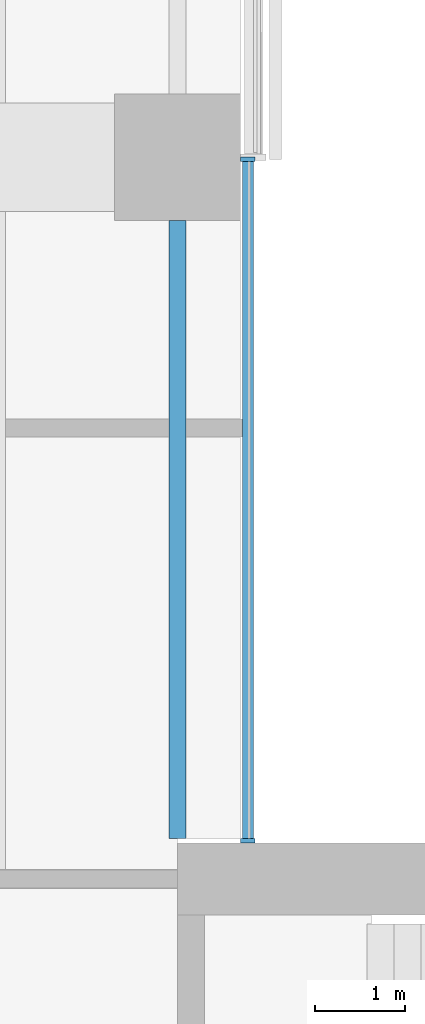
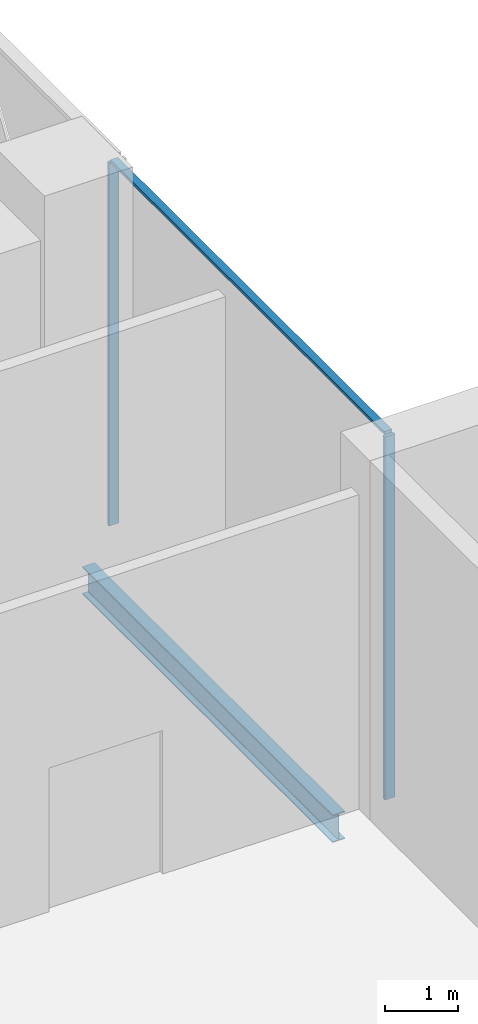
# One storey, part 9 of 23: 3 members, 1 beam, 1 element without a shape of its own.
"""IFC4 building model written with IfcOpenShell, lengths in metres."""

import ifcopenshell
import ifcopenshell.guid

model = None  # the IFC model being written
_history = None  # IfcOwnerHistory: only IFC2X3 demands one
_inside = {}  # id of a spatial element -> (the spatial element, [elements in it])
_under = {}  # id of a project, library or spatial element -> (it, [spatial elements below it])
_declared = {}  # id of a project -> (the project, [libraries it declares])
_typed = {}  # id of a type object -> (the type object, [elements of that type])
_made_of = {}  # id of a material, layer set ... -> (it, [elements and type objects made of it])


def new_model(schema):
    """Start an empty IFC model of exactly this schema.

    Asked for "IFC4X3", IfcOpenShell would pick the latest addendum, in which some entities
    have other attributes; the version numbers below select the first issue.
    IFC2X3 requires an IfcOwnerHistory on every rooted entity: one is made here for all.
    """
    global model, _history
    if schema == "IFC4X3":
        model = ifcopenshell.file(schema_version=(4, 3, 0, 0))
    else:
        model = ifcopenshell.file(schema=schema)
    _inside.clear()
    _under.clear()
    _declared.clear()
    _typed.clear()
    _made_of.clear()
    _history = None
    if model.schema == "IFC2X3":
        org = make("IfcOrganization", Name="unknown")
        user = make(
            "IfcPersonAndOrganization",
            ThePerson=make("IfcPerson", FamilyName="unknown"),
            TheOrganization=org,
        )
        app = make(
            "IfcApplication",
            ApplicationDeveloper=org,
            Version="unknown",
            ApplicationFullName="unknown",
            ApplicationIdentifier="unknown",
        )
        _history = make(
            "IfcOwnerHistory",
            OwningUser=user,
            OwningApplication=app,
            ChangeAction="ADDED",
            CreationDate=0,
        )
    return model


def make(cls, **values):
    """One entity of the class cls with the attributes given. An attribute that is None is left unset."""
    return model.create_entity(
        cls, **{name: value for name, value in values.items() if value is not None}
    )


def rooted(cls, **values):
    """An entity with a GlobalId (a new one), such as an element, a storey or a relation."""
    return make(cls, GlobalId=ifcopenshell.guid.new(), OwnerHistory=_history, **values)


def si_unit(unit_type, name, prefix=None):
    """IfcSIUnit, for example si_unit("LENGTHUNIT", "METRE", prefix="MILLI")."""
    return make("IfcSIUnit", UnitType=unit_type, Prefix=prefix, Name=name)


def assignment(units):
    """IfcUnitAssignment: the units of a project."""
    return None if units is None else make("IfcUnitAssignment", Units=units)


def point(xyz):
    """IfcCartesianPoint."""
    return None if xyz is None else make("IfcCartesianPoint", Coordinates=xyz)


def direction(xyz):
    """IfcDirection."""
    return None if xyz is None else make("IfcDirection", DirectionRatios=xyz)


def frame(location, z_axis=None, x_axis=None):
    """IfcAxis2Placement3D, a coordinate frame: its origin and axes. An axis left out is left unset."""
    return make(
        "IfcAxis2Placement3D",
        Location=point(location),
        Axis=direction(z_axis),
        RefDirection=direction(x_axis),
    )


def frame_2d(location, x_axis=None):
    """IfcAxis2Placement2D, a coordinate frame in the plane: its origin and x axis."""
    return make(
        "IfcAxis2Placement2D", Location=point(location), RefDirection=direction(x_axis)
    )


def origin():
    """The frame at (0, 0, 0) with its axes left unset."""
    return frame((0.0, 0.0, 0.0))


def origin_2d():
    """The frame at (0, 0) in the plane with its x axis left unset."""
    return frame_2d((0.0, 0.0))


def place(relative_to, where):
    """IfcLocalPlacement: puts the frame where relative to a parent placement (None: the world)."""
    return make(
        "IfcLocalPlacement", PlacementRelTo=relative_to, RelativePlacement=where
    )


def context(
    kind, dimensions, precision=None, world=None, true_north=None, identifier=None
):
    """IfcGeometricRepresentationContext, for example the 3D "Model" context."""
    return make(
        "IfcGeometricRepresentationContext",
        ContextIdentifier=identifier,
        ContextType=kind,
        CoordinateSpaceDimension=dimensions,
        Precision=precision,
        WorldCoordinateSystem=world,
        TrueNorth=true_north,
    )


def subcontext(parent, identifier, kind, view, scale=None):
    """IfcGeometricRepresentationSubContext, for example "Body" below "Model"."""
    return make(
        "IfcGeometricRepresentationSubContext",
        ContextIdentifier=identifier,
        ContextType=kind,
        ParentContext=parent,
        TargetScale=scale,
        TargetView=view,
    )


def project(units=None, contexts=None):
    """IfcProject with its units and contexts."""
    return rooted(
        "IfcProject",
        Name="project",
        RepresentationContexts=contexts,
        UnitsInContext=assignment(units),
    )


def spatial(cls, under=None, at=None, **own):
    """A site, building, storey or space (cls), placed at a placement, below another one or the project."""
    s = rooted(cls, ObjectPlacement=at, **own)
    if under is not None:
        _under.setdefault(under.id(), (under, []))[1].append(s)
    return s


def profile(cls, at=None, kind="AREA", **sizes):
    """A parametric profile (cls). Its sizes go by their IFC names, for example OverallWidth=200.0."""
    return make(cls, ProfileType=kind, Position=at, **sizes)


def rectangle(**sizes):
    """IfcRectangleProfileDef."""
    return profile("IfcRectangleProfileDef", **sizes)


def i_section(**sizes):
    """IfcIShapeProfileDef."""
    return profile("IfcIShapeProfileDef", **sizes)


def extrude(swept, where, along, depth):
    """IfcExtrudedAreaSolid: the profile swept, set in the frame where, extruded along a direction by depth."""
    return make(
        "IfcExtrudedAreaSolid",
        SweptArea=swept,
        Position=where,
        ExtrudedDirection=direction(along),
        Depth=depth,
    )


def shape(context_of_items, identifier, shape_type, items):
    """IfcShapeRepresentation: the items that make up one representation, for example the "Body"."""
    return make(
        "IfcShapeRepresentation",
        ContextOfItems=context_of_items,
        RepresentationIdentifier=identifier,
        RepresentationType=shape_type,
        Items=items,
    )


def material(Name=None, Category=None):
    """IfcMaterial."""
    return make("IfcMaterial", Name=Name, Category=Category)


def material_profile(
    of_material, cross_section, Name=None, Category=None, Priority=None
):
    """IfcMaterialProfile: a cross section and its material."""
    return make(
        "IfcMaterialProfile",
        Name=Name,
        Material=of_material,
        Profile=cross_section,
        Priority=Priority,
        Category=Category,
    )


def profile_set(profiles, Name=None, composite=None):
    """IfcMaterialProfileSet."""
    return make(
        "IfcMaterialProfileSet",
        Name=Name,
        MaterialProfiles=profiles,
        CompositeProfile=composite,
    )


def made_of(thing, what):
    """Note that an element or type object is made of a material, layer set ...; save() writes the relation."""
    if what is not None:
        _made_of.setdefault(what.id(), (what, []))[1].append(thing)
    return thing


def type_object(cls, material=None, **own):
    """A type object (cls), such as IfcWallType, which elements share."""
    return made_of(rooted(cls, **own), material)


def element(
    cls,
    number,
    at=None,
    inside=None,
    cuts=None,
    type_object=None,
    material=None,
    context=None,
    identifier="Body",
    shape_type=None,
    held_by="IfcProductDefinitionShape",
    body=None,
    shapes=None,
    **own,
):
    """One element of the class cls, such as IfcWall. Its Tag is "e" and its number.

    at: its placement. inside: the storey or other place that contains it. cuts: it is an
    opening in that element (IfcRelVoidsElement). A single representation is given by context,
    identifier, shape_type and body (its items); several are given by shapes. held_by: the class
    of the entity that holds the representations. save() writes the other relations.
    """
    e = rooted(cls, Tag="e%d" % number, ObjectPlacement=at, **own)
    if body is not None:
        shapes = [shape(context, identifier, shape_type, body)]
    if shapes is not None:
        e.Representation = make(held_by, Representations=shapes)
    if inside is not None:
        _inside.setdefault(inside.id(), (inside, []))[1].append(e)
    if cuts is not None:
        rooted(
            "IfcRelVoidsElement", RelatingBuildingElement=cuts, RelatedOpeningElement=e
        )
    if type_object is not None:
        _typed.setdefault(type_object.id(), (type_object, []))[1].append(e)
    return made_of(e, material)


def aggregate(whole, parts):
    """IfcRelAggregates: a whole, such as a stair, and the parts it consists of."""
    return rooted("IfcRelAggregates", RelatingObject=whole, RelatedObjects=parts)


def save(model, path):
    """Write the relations noted so far, then the file.

    IfcRelAggregates (storeys below a building ...), IfcRelContainedInSpatialStructure (elements
    in a storey), IfcRelDefinesByType, IfcRelAssociatesMaterial and IfcRelDeclares: one each for
    every whole, place, type object, material and project.
    """
    for whole, parts in _under.values():
        aggregate(whole, parts)
    for where, things in _inside.values():
        rooted(
            "IfcRelContainedInSpatialStructure",
            RelatedElements=things,
            RelatingStructure=where,
        )
    for kind, things in _typed.values():
        rooted("IfcRelDefinesByType", RelatedObjects=things, RelatingType=kind)
    for what, things in _made_of.values():
        rooted("IfcRelAssociatesMaterial", RelatedObjects=things, RelatingMaterial=what)
    for by, libraries in _declared.values():
        rooted("IfcRelDeclares", RelatingContext=by, RelatedDefinitions=libraries)
    model.write(path)


model = new_model("IFC4")

# Units and contexts
model_context = context("Model", 3, precision=1e-05, world=origin(), true_north=direction((0.0, 1.0)))
body_context = subcontext(model_context, "Body", "Model", "MODEL_VIEW")
ifc_project = project(units=[si_unit("LENGTHUNIT", "METRE"), si_unit("AREAUNIT", "SQUARE_METRE"), si_unit("VOLUMEUNIT", "CUBIC_METRE"), si_unit("PLANEANGLEUNIT", "RADIAN"), si_unit("MASSUNIT", "GRAM", prefix="KILO")], contexts=[model_context])

# Site, building, storey
site_placement = place(None, origin())
site = spatial("IfcSite", under=ifc_project, at=site_placement, CompositionType="ELEMENT")
building_placement = place(site_placement, origin())
building = spatial("IfcBuilding", under=site, at=building_placement, Name="Crosswind Convention Tower", CompositionType="ELEMENT")
storey_placement = place(building_placement, frame((0.0, 0.0, 47.5)))
storey = spatial("IfcBuildingStorey", under=building, at=storey_placement, Name="L06", CompositionType="ELEMENT", Elevation=47.5)

# Beam
ifc_material_1 = material(Name="Steel S355", Category="steel")
ifc_material_profile_1 = material_profile(ifc_material_1, i_section(OverallWidth=0.19189453125, OverallDepth=0.463623046875, WebThickness=0.010498046875, FlangeThickness=0.017578125, FilletRadius=0.01025390625, at=origin_2d()), Name="UB 457x191x90")
ifc_profile_set_1 = profile_set([ifc_material_profile_1], Name="Steel S355")
beam_type = type_object("IfcBeamType", Name="Edge beam UB 457x191x90", PredefinedType="SPANDREL", material=ifc_profile_set_1)
beam_placement = place(storey_placement, frame((137.0, 112.449951171875, -0.6318359375), z_axis=(0.0, 1.0, 0.0), x_axis=(-1.0, 0.0, 0.0)))
element("IfcBeam", 1, at=beam_placement, inside=storey, type_object=beam_type, Name="B19 L06 edge beam 17", PredefinedType="SPANDREL", context=body_context, shape_type="SweptSolid", body=[
    extrude(i_section(OverallWidth=0.19189453125, OverallDepth=0.463623046875, WebThickness=0.010498046875, FlangeThickness=0.017578125, FilletRadius=0.01025390625, at=origin_2d()), origin(), (0.0, 0.0, 1.0), 6.85009765625),
])

# Curtain wall, members
ifc_material_2 = material(Name="Aluminium unitised curtain wall", Category="aluminium")
curtain_wall_type = type_object("IfcCurtainWallType", Name="CORE END SLOT WALL 160", PredefinedType="USERDEFINED", material=ifc_material_2)
curtain_wall_placement = place(storey_placement, origin())
curtain_wall = element("IfcCurtainWall", 2, at=curtain_wall_placement, inside=storey, type_object=curtain_wall_type, Name="CW6 L06 N-E.1-1 slot", ObjectType="UNITISED", PredefinedType="USERDEFINED")
ifc_material_3 = material(Name="Aluminium mullion", Category="aluminium")
ifc_material_profile_2 = material_profile(ifc_material_3, rectangle(XDim=0.159912109375, YDim=0.050048828125, at=origin_2d()), Name="AL 160X50")
ifc_profile_set_2 = profile_set([ifc_material_profile_2], Name="Aluminium mullion")
member_type_1 = type_object("IfcMemberType", Name="MULLION 50X160", PredefinedType="MULLION", material=ifc_profile_set_2)
member_1_placement = place(storey_placement, frame((137.780029296875, 112.425048828125, -0.39990234375), z_axis=(0.0, 0.0, 1.0), x_axis=(1.0, 0.0, 0.0)))
member_1 = element("IfcMember", 3, at=member_1_placement, type_object=member_type_1, Name="CW6 mullion 1", PredefinedType="MULLION", context=body_context, shape_type="SweptSolid", body=[
    extrude(rectangle(XDim=0.159912109375, YDim=0.050048828125, at=origin_2d()), origin(), (0.0, 0.0, 1.0), 6.06982421875),
])
member_2_placement = place(storey_placement, frame((137.780029296875, 119.97509765625, -0.39990234375), z_axis=(0.0, 0.0, 1.0), x_axis=(1.0, 0.0, 0.0)))
member_2 = element("IfcMember", 4, at=member_2_placement, type_object=member_type_1, Name="CW6 mullion 2", PredefinedType="MULLION", context=body_context, shape_type="SweptSolid", body=[
    extrude(rectangle(XDim=0.159912109375, YDim=0.050048828125, at=origin_2d()), origin(), (0.0, 0.0, 1.0), 6.06982421875),
])
ifc_material_4 = material(Name="Aluminium transom", Category="aluminium")
ifc_material_profile_3 = material_profile(ifc_material_4, rectangle(XDim=0.1201171875, YDim=0.050048828125, at=origin_2d()), Name="AL 120X50")
ifc_profile_set_3 = profile_set([ifc_material_profile_3], Name="Aluminium transom")
member_type_2 = type_object("IfcMemberType", Name="TRANSOM 50X120", PredefinedType="USERDEFINED", material=ifc_profile_set_3)
member_3_placement = place(storey_placement, frame((137.780029296875, 112.449951171875, 5.695068359375), z_axis=(0.0, 1.0, 0.0), x_axis=(-1.0, 0.0, 0.0)))
member_3 = element("IfcMember", 5, at=member_3_placement, type_object=member_type_2, Name="CW6 transom", ObjectType="TRANSOM", PredefinedType="USERDEFINED", context=body_context, shape_type="SweptSolid", body=[
    extrude(rectangle(XDim=0.1201171875, YDim=0.050048828125, at=origin_2d()), origin(), (0.0, 0.0, 1.0), 7.5),
])
aggregate(curtain_wall, [member_1, member_2, member_3])

save(model, "model.ifc")
